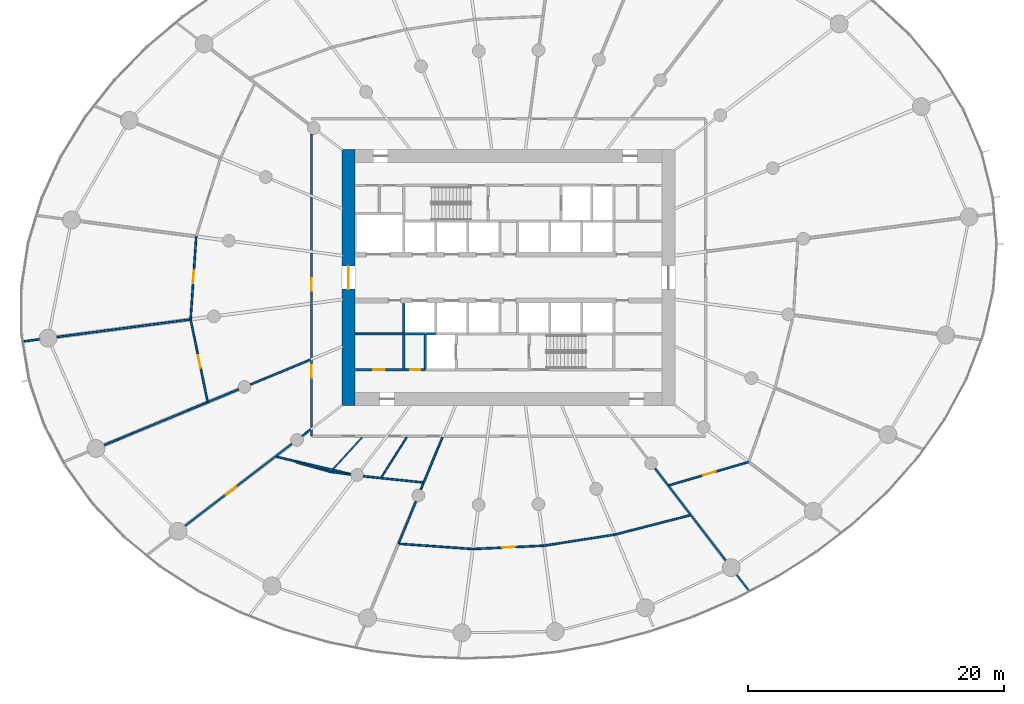
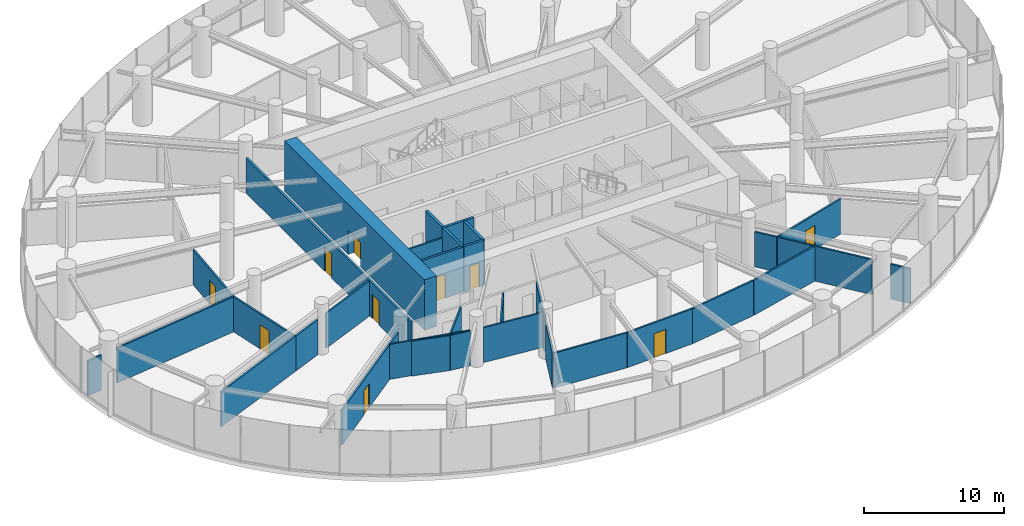
# One storey, part 12 of 19: 38 walls, 10 doors, 10 openings.
"""IFC4 building model written with IfcOpenShell, lengths in metres."""

from ifc_helpers import new_model, si_unit, direction, frame, frame_2d, origin, place, context, subcontext, project, spatial, rectangle, extrude, source, transform, mapped, material, layer, layer_set, type_object, element, fill, save


model = new_model("IFC4")

# Units and contexts
model_context = context("Model", 3, precision=1e-05, world=origin(), true_north=direction((0.0, 1.0)))
body_context = subcontext(model_context, "Body", "Model", "MODEL_VIEW")
ifc_project = project(units=[si_unit("LENGTHUNIT", "METRE"), si_unit("AREAUNIT", "SQUARE_METRE"), si_unit("VOLUMEUNIT", "CUBIC_METRE"), si_unit("PLANEANGLEUNIT", "RADIAN"), si_unit("MASSUNIT", "GRAM", prefix="KILO")], contexts=[model_context])

# Site, building, storey
site_placement = place(None, origin())
site = spatial("IfcSite", under=ifc_project, at=site_placement, CompositionType="ELEMENT")
building_placement = place(site_placement, origin())
building = spatial("IfcBuilding", under=site, at=building_placement, Name="Spindrift Exchange Tower", CompositionType="ELEMENT")
storey_placement = place(building_placement, frame((0.0, 0.0, 53.39990234375)))
storey = spatial("IfcBuildingStorey", under=building, at=storey_placement, Name="L12", CompositionType="ELEMENT", Elevation=53.39990234375)

# Wall, opening, door
ifc_material_1 = material(Name="Concrete 80 MPa", Category="concrete")
ifc_layer_1 = layer(ifc_material_1, 1.0)
ifc_layer_set_1 = layer_set([ifc_layer_1], Name="RC Core Wall 1000 Concrete 80 MPa")
wall_type_1 = type_object("IfcWallType", Name="RC Core Wall 1000 Concrete 80 MPa", PredefinedType="SHEAR", material=ifc_layer_set_1)
wall_1_placement = place(storey_placement, frame((39.5, 58.0, 0.0), z_axis=(0.0, 0.0, 1.0), x_axis=(0.0, -1.0, 0.0)))
wall_1 = element("IfcWall", 1, at=wall_1_placement, inside=storey, type_object=wall_type_1, Name="Core wall W L12", PredefinedType="SHEAR", context=body_context, shape_type="SweptSolid", body=[
    extrude(rectangle(XDim=20.0, YDim=1.0, at=frame_2d((10.0, 0.0))), origin(), (0.0, 0.0, 1.0), 4.400146484375),
])
opening_1_placement = place(wall_1_placement, frame((9.10009765625, 0.0, 0.0)))
opening_1 = element("IfcOpeningElement", 2, at=opening_1_placement, cuts=wall_1, Name="Opening L12-D1", PredefinedType="OPENING", context=body_context, shape_type="SweptSolid", body=[
    extrude(rectangle(XDim=1.800048828125, YDim=2.10009765625, at=frame_2d((0.89990234375, 1.050048828125))), frame((0.0, 0.510009765625, 0.0), z_axis=(0.0, -1.0, 0.0), x_axis=(1.0, 0.0, 0.0)), (0.0, 0.0, 1.0), 1.02001953125),
])
ifc_material_2 = material(Name="Timber-core fire door", Category="wood")
door_type_1 = type_object("IfcDoorType", Name="DR-LOBBY-1800", OperationType="NOTDEFINED", PredefinedType="DOOR", material=ifc_material_2)
shared_shape_1 = source(origin(), body_context, "Body", "SweptSolid", [
    extrude(rectangle(XDim=1.800048828125, YDim=2.10009765625, at=frame_2d((0.89990234375, 1.050048828125))), frame((0.0, 0.02490234375, 0.0), z_axis=(0.0, -1.0, 0.0), x_axis=(1.0, 0.0, 0.0)), (0.0, 0.0, 1.0), 0.050048828125),
])
door_1_placement = place(opening_1_placement, origin())
door_1 = element("IfcDoor", 3, at=door_1_placement, inside=storey, type_object=door_type_1, Name="L12 Lobby door 1", OperationType="SINGLE_SWING_RIGHT", OverallHeight=2.10009765625, OverallWidth=1.800048828125, PredefinedType="DOOR", context=body_context, shape_type="MappedRepresentation", body=[
    mapped(shared_shape_1, transform((0.0, 0.0, 0.0), scale=1.0)),
])
fill(opening_1, door_1)

# Wall, openings, doors
ifc_material_3 = material(Name="Fire-rated plasterboard partition", Category="gypsum")
ifc_layer_2 = layer(ifc_material_3, 0.179931640625)
ifc_layer_set_2 = layer_set([ifc_layer_2], Name="W-CORR-180")
wall_type_2 = type_object("IfcWallType", Name="W-CORR-180", PredefinedType="PARTITIONING", material=ifc_layer_set_2)
wall_2_placement = place(storey_placement, frame((36.60009765625, 35.6298828125, 0.0), z_axis=(0.0, 0.0, 1.0), x_axis=(0.0, 1.0, 0.0)))
wall_2 = element("IfcWall", 4, at=wall_2_placement, inside=storey, type_object=wall_type_2, Name="L12 Partition wall 60", PredefinedType="PARTITIONING", context=body_context, shape_type="SweptSolid", body=[
    extrude(rectangle(XDim=23.58251953125, YDim=0.179931640625, at=frame_2d((11.791259765625, 0.0))), origin(), (0.0, 0.0, 1.0), 3.050048828125),
])
opening_2_placement = place(wall_2_placement, frame((11.33251953125, 0.0, 0.0)))
opening_2 = element("IfcOpeningElement", 5, at=opening_2_placement, cuts=wall_2, Name="Opening L12-D40", PredefinedType="OPENING", context=body_context, shape_type="SweptSolid", body=[
    extrude(rectangle(XDim=1.0, YDim=2.10009765625, at=frame_2d((0.5, 1.050048828125))), frame((0.0, 0.099853515625, 0.0), z_axis=(0.0, -1.0, 0.0), x_axis=(1.0, 0.0, 0.0)), (0.0, 0.0, 1.0), 0.199951171875),
])
opening_3_placement = place(wall_2_placement, frame((4.532470703125, 0.0, 0.0)))
opening_3 = element("IfcOpeningElement", 6, at=opening_3_placement, cuts=wall_2, Name="Opening L12-D45", PredefinedType="OPENING", context=body_context, shape_type="SweptSolid", body=[
    extrude(rectangle(XDim=1.0, YDim=2.10009765625, at=frame_2d((0.5, 1.050048828125))), frame((0.0, 0.099853515625, 0.0), z_axis=(0.0, -1.0, 0.0), x_axis=(1.0, 0.0, 0.0)), (0.0, 0.0, 1.0), 0.199951171875),
])
door_type_2 = type_object("IfcDoorType", Name="DR-ROOM-1000", OperationType="NOTDEFINED", PredefinedType="DOOR", material=ifc_material_2)
shared_shape_2 = source(origin(), body_context, "Body", "SweptSolid", [
    extrude(rectangle(XDim=1.0, YDim=2.10009765625, at=frame_2d((0.5, 1.050048828125))), frame((0.0, 0.02490234375, 0.0), z_axis=(0.0, -1.0, 0.0), x_axis=(1.0, 0.0, 0.0)), (0.0, 0.0, 1.0), 0.050048828125),
])
door_2_placement = place(opening_2_placement, origin())
door_2 = element("IfcDoor", 7, at=door_2_placement, inside=storey, type_object=door_type_2, Name="L12 Door 40", OperationType="SINGLE_SWING_LEFT", OverallHeight=2.10009765625, OverallWidth=1.0, PredefinedType="DOOR", context=body_context, shape_type="MappedRepresentation", body=[
    mapped(shared_shape_2, transform((0.0, 0.0, 0.0), scale=1.0)),
])
fill(opening_2, door_2)
door_3_placement = place(opening_3_placement, origin())
door_3 = element("IfcDoor", 8, at=door_3_placement, inside=storey, type_object=door_type_2, Name="L12 Door 45", OperationType="SINGLE_SWING_RIGHT", OverallHeight=2.10009765625, OverallWidth=1.0, PredefinedType="DOOR", context=body_context, shape_type="MappedRepresentation", body=[
    mapped(shared_shape_2, transform((0.0, 0.0, 0.0), scale=1.0)),
])
fill(opening_3, door_3)

# Wall, opening, door
wall_3_placement = place(storey_placement, frame((40.02001953125, 40.800048828125, 0.0), z_axis=(0.0, 0.0, 1.0), x_axis=(1.0, 0.0, 0.0)))
wall_3 = element("IfcWall", 9, at=wall_3_placement, inside=storey, type_object=wall_type_2, Name="L12 Partition wall 61", PredefinedType="PARTITIONING", context=body_context, shape_type="SweptSolid", body=[
    extrude(rectangle(XDim=3.75, YDim=0.179931640625, at=frame_2d((1.875, 0.0))), origin(), (0.0, 0.0, 1.0), 3.9501953125),
])
opening_4_placement = place(wall_3_placement, frame((1.39990234375, 0.0, 0.0)))
opening_4 = element("IfcOpeningElement", 10, at=opening_4_placement, cuts=wall_3, Name="Opening L12-D48", PredefinedType="OPENING", context=body_context, shape_type="SweptSolid", body=[
    extrude(rectangle(XDim=0.89990234375, YDim=2.10009765625, at=frame_2d((0.449951171875, 1.050048828125))), frame((0.0, 0.099853515625, 0.0), z_axis=(0.0, -1.0, 0.0), x_axis=(1.0, 0.0, 0.0)), (0.0, 0.0, 1.0), 0.199951171875),
])
ifc_material_4 = material(Name="Steel access door", Category="steel")
door_type_3 = type_object("IfcDoorType", Name="DR-RISER-900", OperationType="NOTDEFINED", PredefinedType="DOOR", material=ifc_material_4)
shared_shape_3 = source(origin(), body_context, "Body", "SweptSolid", [
    extrude(rectangle(XDim=0.89990234375, YDim=2.10009765625, at=frame_2d((0.449951171875, 1.050048828125))), frame((0.0, 0.02490234375, 0.0), z_axis=(0.0, -1.0, 0.0), x_axis=(1.0, 0.0, 0.0)), (0.0, 0.0, 1.0), 0.050048828125),
])
door_4_placement = place(opening_4_placement, origin())
door_4 = element("IfcDoor", 11, at=door_4_placement, inside=storey, type_object=door_type_3, Name="L12 Riser door 48", OperationType="SINGLE_SWING_LEFT", OverallHeight=2.10009765625, OverallWidth=0.89990234375, PredefinedType="DOOR", context=body_context, shape_type="MappedRepresentation", body=[
    mapped(shared_shape_3, transform((0.0, 0.0, 0.0), scale=1.0)),
])
fill(opening_4, door_4)

# Wall
ifc_layer_3 = layer(ifc_material_3, 0.139892578125)
ifc_layer_set_3 = layer_set([ifc_layer_3], Name="W-PART-140")
wall_type_3 = type_object("IfcWallType", Name="W-PART-140", PredefinedType="PARTITIONING", material=ifc_layer_set_3)
wall_4_placement = place(storey_placement, frame((27.150634765625, 44.728515625, 0.0), z_axis=(0.0, 0.0, 1.0), x_axis=(-0.991445773007, -0.130519267494, 0.0)))
element("IfcWall", 12, at=wall_4_placement, inside=storey, type_object=wall_type_3, Name="L12 Partition wall 67", PredefinedType="PARTITIONING", context=body_context, shape_type="SweptSolid", body=[
    extrude(rectangle(XDim=10.532958984375, YDim=0.139892578125, at=frame_2d((5.2666015625, 0.0))), origin(), (0.0, 0.0, 1.0), 3.050048828125),
])

# Wall, opening, door
wall_5_placement = place(storey_placement, frame((33.775634765625, 34.015869140625, 0.0), z_axis=(0.0, 0.0, 1.0), x_axis=(-0.793363616038, -0.608748037161, 0.0)))
wall_5 = element("IfcWall", 13, at=wall_5_placement, inside=storey, type_object=wall_type_3, Name="L12 Partition wall 71", PredefinedType="PARTITIONING", context=body_context, shape_type="SweptSolid", body=[
    extrude(rectangle(XDim=8.889404296875, YDim=0.139892578125, at=frame_2d((4.44482421875, 0.0))), origin(), (0.0, 0.0, 1.0), 3.050048828125),
])
opening_5_placement = place(wall_5_placement, frame((3.85009765625, 0.0, 0.0)))
opening_5 = element("IfcOpeningElement", 14, at=opening_5_placement, cuts=wall_5, Name="Opening L12-D29", PredefinedType="OPENING", context=body_context, shape_type="SweptSolid", body=[
    extrude(rectangle(XDim=1.0, YDim=2.10009765625, at=frame_2d((0.5, 1.050048828125))), frame((0.0, 0.079833984375, 0.0), z_axis=(0.0, -1.0, 0.0), x_axis=(1.0, 0.0, 0.0)), (0.0, 0.0, 1.0), 0.159912109375),
])
door_5_placement = place(opening_5_placement, origin())
door_5 = element("IfcDoor", 15, at=door_5_placement, inside=storey, type_object=door_type_2, Name="L12 Door 29", OperationType="SINGLE_SWING_RIGHT", OverallHeight=2.10009765625, OverallWidth=1.0, PredefinedType="DOOR", context=body_context, shape_type="MappedRepresentation", body=[
    mapped(shared_shape_2, transform((0.0, 0.0, 0.0), scale=1.0)),
])
fill(opening_5, door_5)

# Wall
wall_6_placement = place(storey_placement, frame((28.489013671875, 38.261474609375, 0.0), z_axis=(0.0, 0.0, 1.0), x_axis=(-0.923879491354, -0.382683531727, 0.0)))
element("IfcWall", 16, at=wall_6_placement, inside=storey, type_object=wall_type_3, Name="L12 Partition wall 73", PredefinedType="PARTITIONING", context=body_context, shape_type="SweptSolid", body=[
    extrude(rectangle(XDim=8.7529296875, YDim=0.139892578125, at=frame_2d((4.37646484375, 0.0))), origin(), (0.0, 0.0, 1.0), 3.050048828125),
])

# Wall, opening, door
wall_7_placement = place(storey_placement, frame((28.48291015625, 38.290771484375, 0.0), z_axis=(0.0, 0.0, 1.0), x_axis=(-0.202647546794, 0.979251740758, 0.0)))
wall_7 = element("IfcWall", 17, at=wall_7_placement, inside=storey, type_object=wall_type_3, Name="L12 Partition wall 78", PredefinedType="PARTITIONING", context=body_context, shape_type="SweptSolid", body=[
    extrude(rectangle(XDim=6.544189453125, YDim=0.139892578125, at=frame_2d((3.27197265625, 0.0))), origin(), (0.0, 0.0, 1.0), 3.050048828125),
])
opening_6_placement = place(wall_7_placement, frame((2.694091796875, 0.0, 0.0)))
opening_6 = element("IfcOpeningElement", 18, at=opening_6_placement, cuts=wall_7, Name="Opening L12-D44", PredefinedType="OPENING", context=body_context, shape_type="SweptSolid", body=[
    extrude(rectangle(XDim=1.0, YDim=2.10009765625, at=frame_2d((0.5, 1.050048828125))), frame((0.0, 0.079833984375, 0.0), z_axis=(0.0, -1.0, 0.0), x_axis=(1.0, 0.0, 0.0)), (0.0, 0.0, 1.0), 0.159912109375),
])
door_6_placement = place(opening_6_placement, origin())
door_6 = element("IfcDoor", 19, at=door_6_placement, inside=storey, type_object=door_type_2, Name="L12 Door 44", OperationType="SINGLE_SWING_LEFT", OverallHeight=2.10009765625, OverallWidth=1.0, PredefinedType="DOOR", context=body_context, shape_type="MappedRepresentation", body=[
    mapped(shared_shape_2, transform((0.0, 0.0, 0.0), scale=1.0)),
])
fill(opening_6, door_6)

wall_8_placement = place(storey_placement, frame((70.768798828125, 33.59814453125, 0.0), z_axis=(0.0, 0.0, 1.0), x_axis=(-0.959164410747, -0.282849134974, 0.0)))
wall_8 = element("IfcWall", 20, at=wall_8_placement, inside=storey, type_object=wall_type_3, Name="L12 Partition wall 79", PredefinedType="PARTITIONING", context=body_context, shape_type="SweptSolid", body=[
    extrude(rectangle(XDim=6.561767578125, YDim=0.139892578125, at=frame_2d((3.28076171875, 0.0))), origin(), (0.0, 0.0, 1.0), 3.050048828125),
])
opening_7_placement = place(wall_8_placement, frame((2.7119140625, 0.0, 0.0)))
opening_7 = element("IfcOpeningElement", 21, at=opening_7_placement, cuts=wall_8, Name="Opening L12-D31", PredefinedType="OPENING", context=body_context, shape_type="SweptSolid", body=[
    extrude(rectangle(XDim=1.0, YDim=2.10009765625, at=frame_2d((0.5, 1.050048828125))), frame((0.0, 0.079833984375, 0.0), z_axis=(0.0, -1.0, 0.0), x_axis=(1.0, 0.0, 0.0)), (0.0, 0.0, 1.0), 0.159912109375),
])
door_7_placement = place(opening_7_placement, origin())
door_7 = element("IfcDoor", 22, at=door_7_placement, inside=storey, type_object=door_type_2, Name="L12 Door 31", OperationType="SINGLE_SWING_RIGHT", OverallHeight=2.10009765625, OverallWidth=1.0, PredefinedType="DOOR", context=body_context, shape_type="MappedRepresentation", body=[
    mapped(shared_shape_2, transform((0.0, 0.0, 0.0), scale=1.0)),
])
fill(opening_7, door_7)

wall_9_placement = place(storey_placement, frame((27.15283203125, 44.758544921875, 0.0), z_axis=(0.0, 0.0, 1.0), x_axis=(0.067555628739, 0.997715509063, 0.0)))
wall_9 = element("IfcWall", 23, at=wall_9_placement, inside=storey, type_object=wall_type_3, Name="L12 Partition wall 80", PredefinedType="PARTITIONING", context=body_context, shape_type="SweptSolid", body=[
    extrude(rectangle(XDim=6.43994140625, YDim=0.139892578125, at=frame_2d((3.219970703125, 0.0))), origin(), (0.0, 0.0, 1.0), 3.050048828125),
])
opening_8_placement = place(wall_9_placement, frame((2.7900390625, 0.0, 0.0)))
opening_8 = element("IfcOpeningElement", 24, at=opening_8_placement, cuts=wall_9, Name="Opening L12-D43", PredefinedType="OPENING", context=body_context, shape_type="SweptSolid", body=[
    extrude(rectangle(XDim=1.0, YDim=2.10009765625, at=frame_2d((0.5, 1.050048828125))), frame((0.0, 0.079833984375, 0.0), z_axis=(0.0, -1.0, 0.0), x_axis=(1.0, 0.0, 0.0)), (0.0, 0.0, 1.0), 0.159912109375),
])
door_8_placement = place(opening_8_placement, origin())
door_8 = element("IfcDoor", 25, at=door_8_placement, inside=storey, type_object=door_type_2, Name="L12 Door 43", OperationType="SINGLE_SWING_RIGHT", OverallHeight=2.10009765625, OverallWidth=1.0, PredefinedType="DOOR", context=body_context, shape_type="MappedRepresentation", body=[
    mapped(shared_shape_2, transform((0.0, 0.0, 0.0), scale=1.0)),
])
fill(opening_8, door_8)

# Walls
wall_10_placement = place(storey_placement, frame((60.319091796875, 27.91552734375, 0.0), z_axis=(0.0, 0.0, 1.0), x_axis=(0.968340865999, 0.24963166313, 0.0)))
element("IfcWall", 26, at=wall_10_placement, inside=storey, type_object=wall_type_3, Name="L12 Partition wall 84", PredefinedType="PARTITIONING", context=body_context, shape_type="SweptSolid", body=[
    extrude(rectangle(XDim=6.114501953125, YDim=0.139892578125, at=frame_2d((3.05712890625, 0.0))), origin(), (0.0, 0.0, 1.0), 3.050048828125),
])
wall_11_placement = place(storey_placement, frame((33.8046875, 34.009033203125, 0.0), z_axis=(0.0, 0.0, 1.0), x_axis=(0.973632222489, -0.22812342127, 0.0)))
element("IfcWall", 27, at=wall_11_placement, inside=storey, type_object=wall_type_3, Name="L12 Partition wall 85", PredefinedType="PARTITIONING", context=body_context, shape_type="SweptSolid", body=[
    extrude(rectangle(XDim=6.017822265625, YDim=0.139892578125, at=frame_2d((3.0087890625, 0.0))), origin(), (0.0, 0.0, 1.0), 3.050048828125),
])
wall_12_placement = place(storey_placement, frame((43.3837890625, 27.198974609375, 0.0), z_axis=(0.0, 0.0, 1.0), x_axis=(0.997508340925, -0.070548634182, 0.0)))
element("IfcWall", 28, at=wall_12_placement, inside=storey, type_object=wall_type_3, Name="L12 Partition wall 87", PredefinedType="PARTITIONING", context=body_context, shape_type="SweptSolid", body=[
    extrude(rectangle(XDim=5.838134765625, YDim=0.139892578125, at=frame_2d((2.9189453125, 0.0))), origin(), (0.0, 0.0, 1.0), 3.050048828125),
])
wall_13_placement = place(storey_placement, frame((54.758544921875, 27.047119140625, 0.0), z_axis=(0.0, 0.0, 1.0), x_axis=(0.98802429514, 0.154298386943, 0.0)))
element("IfcWall", 29, at=wall_13_placement, inside=storey, type_object=wall_type_3, Name="L12 Partition wall 89", PredefinedType="PARTITIONING", context=body_context, shape_type="SweptSolid", body=[
    extrude(rectangle(XDim=5.59814453125, YDim=0.139892578125, at=frame_2d((2.799072265625, 0.0))), origin(), (0.0, 0.0, 1.0), 3.050048828125),
])

# Wall, opening, door
wall_14_placement = place(storey_placement, frame((54.728515625, 27.045654296875, 0.0), z_axis=(0.0, 0.0, 1.0), x_axis=(-0.998905899041, -0.046765423781, 0.0)))
wall_14 = element("IfcWall", 30, at=wall_14_placement, inside=storey, type_object=wall_type_3, Name="L12 Partition wall 91", PredefinedType="PARTITIONING", context=body_context, shape_type="SweptSolid", body=[
    extrude(rectangle(XDim=5.497314453125, YDim=0.139892578125, at=frame_2d((2.74853515625, 0.0))), origin(), (0.0, 0.0, 1.0), 3.050048828125),
])
opening_9_placement = place(wall_14_placement, frame((2.247314453125, 0.0, 0.0)))
opening_9 = element("IfcOpeningElement", 31, at=opening_9_placement, cuts=wall_14, Name="Opening L12-D28", PredefinedType="OPENING", context=body_context, shape_type="SweptSolid", body=[
    extrude(rectangle(XDim=1.0, YDim=2.10009765625, at=frame_2d((0.5, 1.050048828125))), frame((0.0, 0.079833984375, 0.0), z_axis=(0.0, -1.0, 0.0), x_axis=(1.0, 0.0, 0.0)), (0.0, 0.0, 1.0), 0.159912109375),
])
door_9_placement = place(opening_9_placement, origin())
door_9 = element("IfcDoor", 32, at=door_9_placement, inside=storey, type_object=door_type_2, Name="L12 Door 28", OperationType="SINGLE_SWING_LEFT", OverallHeight=2.10009765625, OverallWidth=1.0, PredefinedType="DOOR", context=body_context, shape_type="MappedRepresentation", body=[
    mapped(shared_shape_2, transform((0.0, 0.0, 0.0), scale=1.0)),
])
fill(opening_9, door_9)

# Walls
wall_15_placement = place(storey_placement, frame((36.510009765625, 41.583740234375, 0.0), z_axis=(0.0, 0.0, 1.0), x_axis=(-0.923890025086, -0.382658100067, 0.0)))
element("IfcWall", 33, at=wall_15_placement, inside=storey, type_object=wall_type_3, Name="L12 Partition wall 97", PredefinedType="PARTITIONING", context=body_context, shape_type="SweptSolid", body=[
    extrude(rectangle(XDim=5.068359375, YDim=0.139892578125, at=frame_2d((2.5341796875, 0.0))), origin(), (0.0, 0.0, 1.0), 3.050048828125),
])
wall_16_placement = place(storey_placement, frame((40.65869140625, 32.47216796875, 0.0), z_axis=(0.0, 0.0, 1.0), x_axis=(0.994613201527, -0.103656062762, 0.0)))
element("IfcWall", 34, at=wall_16_placement, inside=storey, type_object=wall_type_3, Name="L12 Partition wall 99", PredefinedType="PARTITIONING", context=body_context, shape_type="SweptSolid", body=[
    extrude(rectangle(XDim=4.731689453125, YDim=0.139892578125, at=frame_2d((2.36572265625, 0.0))), origin(), (0.0, 0.0, 1.0), 3.050048828125),
])
wall_17_placement = place(storey_placement, frame((66.25830078125, 29.418212890625, 0.0), z_axis=(0.0, 0.0, 1.0), x_axis=(0.608774632027, -0.793343209085, 0.0)))
element("IfcWall", 35, at=wall_17_placement, inside=storey, type_object=wall_type_3, Name="L12 Partition wall 101", PredefinedType="PARTITIONING", context=body_context, shape_type="SweptSolid", body=[
    extrude(rectangle(XDim=4.451171875, YDim=0.139892578125, at=frame_2d((2.2255859375, 0.0))), origin(), (0.0, 0.0, 1.0), 3.050048828125),
])
wall_18_placement = place(storey_placement, frame((46.826416015625, 35.510009765625, 0.0), z_axis=(0.0, 0.0, 1.0), x_axis=(-0.382683759209, -0.923879397128, 0.0)))
element("IfcWall", 36, at=wall_18_placement, inside=storey, type_object=wall_type_3, Name="L12 Partition wall 102", PredefinedType="PARTITIONING", context=body_context, shape_type="SweptSolid", body=[
    extrude(rectangle(XDim=3.788818359375, YDim=0.139892578125, at=frame_2d((1.89453125, 0.0))), origin(), (0.0, 0.0, 1.0), 3.050048828125),
])
wall_19_placement = place(storey_placement, frame((43.77001953125, 43.60009765625, 0.0), z_axis=(0.0, 0.0, 1.0), x_axis=(-1.0, 0.0, 0.0)))
element("IfcWall", 37, at=wall_19_placement, inside=storey, type_object=wall_type_3, Name="L12 Partition wall 103", PredefinedType="PARTITIONING", context=body_context, shape_type="SweptSolid", body=[
    extrude(rectangle(XDim=3.75, YDim=0.139892578125, at=frame_2d((1.875, 0.0))), origin(), (0.0, 0.0, 1.0), 3.050048828125),
])
wall_20_placement = place(storey_placement, frame((44.752197265625, 30.502197265625, 0.0), z_axis=(0.0, 0.0, 1.0), x_axis=(-0.382698672088, -0.923873219864, 0.0)))
element("IfcWall", 38, at=wall_20_placement, inside=storey, type_object=wall_type_3, Name="L12 Partition wall 106", PredefinedType="PARTITIONING", context=body_context, shape_type="SweptSolid", body=[
    extrude(rectangle(XDim=3.501708984375, YDim=0.139892578125, at=frame_2d((1.7509765625, 0.0))), origin(), (0.0, 0.0, 1.0), 3.050048828125),
])
wall_21_placement = place(storey_placement, frame((64.520751953125, 31.6826171875, 0.0), z_axis=(0.0, 0.0, 1.0), x_axis=(0.608761578312, -0.793353225727, 0.0)))
element("IfcWall", 39, at=wall_21_placement, inside=storey, type_object=wall_type_3, Name="L12 Partition wall 108", PredefinedType="PARTITIONING", context=body_context, shape_type="SweptSolid", body=[
    extrude(rectangle(XDim=2.748291015625, YDim=0.139892578125, at=frame_2d((1.3740234375, 0.0))), origin(), (0.0, 0.0, 1.0), 3.050048828125),
])
wall_22_placement = place(storey_placement, frame((30.89404296875, 39.2578125, 0.0), z_axis=(0.0, 0.0, 1.0), x_axis=(-0.923866506459, -0.382714878523, 0.0)))
element("IfcWall", 40, at=wall_22_placement, inside=storey, type_object=wall_type_3, Name="L12 Partition wall 110", PredefinedType="PARTITIONING", context=body_context, shape_type="SweptSolid", body=[
    extrude(rectangle(XDim=2.5732421875, YDim=0.139892578125, at=frame_2d((1.28662109375, 0.0))), origin(), (0.0, 0.0, 1.0), 3.050048828125),
])
wall_23_placement = place(storey_placement, frame((63.44091796875, 33.08984375, 0.0), z_axis=(0.0, 0.0, 1.0), x_axis=(0.608812360851, -0.793314256317, 0.0)))
element("IfcWall", 41, at=wall_23_placement, inside=storey, type_object=wall_type_3, Name="L12 Partition wall 127", PredefinedType="PARTITIONING", context=body_context, shape_type="SweptSolid", body=[
    extrude(rectangle(XDim=1.668701171875, YDim=0.139892578125, at=frame_2d((0.83447265625, 0.0))), origin(), (0.0, 0.0, 1.0), 3.050048828125),
])
wall_24_placement = place(storey_placement, frame((35.06494140625, 35.00537109375, 0.0), z_axis=(0.0, 0.0, 1.0), x_axis=(-0.793286864057, -0.608848052732, 0.0)))
element("IfcWall", 42, at=wall_24_placement, inside=storey, type_object=wall_type_3, Name="L12 Partition wall 128", PredefinedType="PARTITIONING", context=body_context, shape_type="SweptSolid", body=[
    extrude(rectangle(XDim=1.587158203125, YDim=0.139892578125, at=frame_2d((0.79345703125, 0.0))), origin(), (0.0, 0.0, 1.0), 3.050048828125),
])
wall_25_placement = place(storey_placement, frame((69.8251953125, 24.76953125, 0.0), z_axis=(0.0, 0.0, 1.0), x_axis=(0.608816471317, -0.793311101809, 0.0)))
element("IfcWall", 43, at=wall_25_placement, inside=storey, type_object=wall_type_3, Name="L12 Partition wall 129", PredefinedType="PARTITIONING", context=body_context, shape_type="SweptSolid", body=[
    extrude(rectangle(XDim=1.544189453125, YDim=0.139892578125, at=frame_2d((0.77197265625, 0.0))), origin(), (0.0, 0.0, 1.0), 3.050048828125),
])
wall_26_placement = place(storey_placement, frame((15.311279296875, 43.169921875, 0.0), z_axis=(0.0, 0.0, 1.0), x_axis=(-0.991424298155, -0.130682290411, 0.0)))
element("IfcWall", 44, at=wall_26_placement, inside=storey, type_object=wall_type_3, Name="L12 Partition wall 131", PredefinedType="PARTITIONING", context=body_context, shape_type="SweptSolid", body=[
    extrude(rectangle(XDim=1.219970703125, YDim=0.139892578125, at=frame_2d((0.60986328125, 0.0))), origin(), (0.0, 0.0, 1.0), 3.050048828125),
])
wall_27_placement = place(storey_placement, frame((36.510009765625, 36.114013671875, 0.0), z_axis=(0.0, 0.0, 1.0), x_axis=(-0.793316076519, -0.608809989025, 0.0)))
element("IfcWall", 45, at=wall_27_placement, inside=storey, type_object=wall_type_3, Name="L12 Partition wall 133", PredefinedType="PARTITIONING", context=body_context, shape_type="SweptSolid", body=[
    extrude(rectangle(XDim=0.8125, YDim=0.139892578125, at=frame_2d((0.40625, 0.0))), origin(), (0.0, 0.0, 1.0), 3.050048828125),
])
wall_28_placement = place(storey_placement, frame((45.337158203125, 31.914306640625, 0.0), z_axis=(0.0, 0.0, 1.0), x_axis=(-0.382809221062, -0.923827419094, 0.0)))
element("IfcWall", 46, at=wall_28_placement, inside=storey, type_object=wall_type_3, Name="L12 Partition wall 134", PredefinedType="PARTITIONING", context=body_context, shape_type="SweptSolid", body=[
    extrude(rectangle(XDim=0.5185546875, YDim=0.139892578125, at=frame_2d((0.25927734375, 0.0))), origin(), (0.0, 0.0, 1.0), 3.050048828125),
])
ifc_material_5 = material(Name="Concrete 40 MPa", Category="concrete")
ifc_layer_4 = layer(ifc_material_5, 0.199951171875)
ifc_layer_set_4 = layer_set([ifc_layer_4], Name="W-SHAFT-200")
wall_type_4 = type_object("IfcWallType", Name="W-SHAFT-200", PredefinedType="SOLIDWALL", material=ifc_layer_set_4)
for number, where, z_axis, x_axis, name in (
    (47, (43.800048828125, 43.60009765625, 0.0), (0.0, 0.0, 1.0), (0.0, -1.0, 0.0), "L12 Shaft wall 6"),
    (48, (45.5, 43.60009765625, 0.0), (0.0, 0.0, 1.0), (0.0, -1.0, 0.0), "L12 Shaft wall 7"),
):
    element("IfcWall", number, at=place(storey_placement, frame(where, z_axis=z_axis, x_axis=x_axis)), inside=storey, type_object=wall_type_4, Name=name, PredefinedType="SOLIDWALL", context=body_context, shape_type="SweptSolid", body=[
        extrude(rectangle(XDim=2.800048828125, YDim=0.199951171875, at=frame_2d((1.39990234375, 0.0))), origin(), (0.0, 0.0, 1.0), 3.9501953125),
    ])
wall_29_placement = place(storey_placement, frame((43.800048828125, 45.989990234375, 0.0), z_axis=(0.0, 0.0, 1.0), x_axis=(0.0, -1.0, 0.0)))
element("IfcWall", 49, at=wall_29_placement, inside=storey, type_object=wall_type_4, Name="L12 Shaft wall 23", PredefinedType="SOLIDWALL", context=body_context, shape_type="SweptSolid", body=[
    extrude(rectangle(XDim=2.360107421875, YDim=0.199951171875, at=frame_2d((1.18017578125, 0.0))), origin(), (0.0, 0.0, 1.0), 3.9501953125),
])
wall_30_placement = place(storey_placement, frame((43.830078125, 43.60009765625, 0.0), z_axis=(0.0, 0.0, 1.0), x_axis=(1.0, 0.0, 0.0)))
element("IfcWall", 50, at=wall_30_placement, inside=storey, type_object=wall_type_4, Name="L12 Shaft wall 40", PredefinedType="SOLIDWALL", context=body_context, shape_type="SweptSolid", body=[
    extrude(rectangle(XDim=1.639892578125, YDim=0.199951171875, at=frame_2d((0.81982421875, 0.0))), origin(), (0.0, 0.0, 1.0), 3.9501953125),
])

# Wall, opening, door
wall_31_placement = place(storey_placement, frame((43.830078125, 40.800048828125, 0.0), z_axis=(0.0, 0.0, 1.0), x_axis=(1.0, 0.0, 0.0)))
wall_31 = element("IfcWall", 51, at=wall_31_placement, inside=storey, type_object=wall_type_4, Name="L12 Shaft wall 41", PredefinedType="SOLIDWALL", context=body_context, shape_type="SweptSolid", body=[
    extrude(rectangle(XDim=1.639892578125, YDim=0.199951171875, at=frame_2d((0.81982421875, 0.0))), origin(), (0.0, 0.0, 1.0), 3.9501953125),
])
opening_10_placement = place(wall_31_placement, frame((0.469970703125, 0.0, 0.0)))
opening_10 = element("IfcOpeningElement", 52, at=opening_10_placement, cuts=wall_31, Name="Opening L12-D19", PredefinedType="OPENING", context=body_context, shape_type="SweptSolid", body=[
    extrude(rectangle(XDim=0.800048828125, YDim=2.10009765625, at=frame_2d((0.39990234375, 1.050048828125))), frame((0.0, 0.10986328125, 0.0), z_axis=(0.0, -1.0, 0.0), x_axis=(1.0, 0.0, 0.0)), (0.0, 0.0, 1.0), 0.219970703125),
])
door_type_4 = type_object("IfcDoorType", Name="DR-RISER-800", OperationType="NOTDEFINED", PredefinedType="DOOR", material=ifc_material_4)
shared_shape_4 = source(origin(), body_context, "Body", "SweptSolid", [
    extrude(rectangle(XDim=0.800048828125, YDim=2.10009765625, at=frame_2d((0.39990234375, 1.050048828125))), frame((0.0, 0.02490234375, 0.0), z_axis=(0.0, -1.0, 0.0), x_axis=(1.0, 0.0, 0.0)), (0.0, 0.0, 1.0), 0.050048828125),
])
door_10_placement = place(opening_10_placement, origin())
door_10 = element("IfcDoor", 53, at=door_10_placement, inside=storey, type_object=door_type_4, Name="L12 Riser door 19", OperationType="SINGLE_SWING_RIGHT", OverallHeight=2.10009765625, OverallWidth=0.800048828125, PredefinedType="DOOR", context=body_context, shape_type="MappedRepresentation", body=[
    mapped(shared_shape_4, transform((0.0, 0.0, 0.0), scale=1.0)),
])
fill(opening_10, door_10)

# Walls
wall_32_placement = place(storey_placement, frame((45.530029296875, 43.60009765625, 0.0), z_axis=(0.0, 0.0, 1.0), x_axis=(1.0, 0.0, 0.0)))
element("IfcWall", 54, at=wall_32_placement, inside=storey, type_object=wall_type_4, Name="L12 Shaft wall 54", PredefinedType="SOLIDWALL", context=body_context, shape_type="SweptSolid", body=[
    extrude(rectangle(XDim=0.739990234375, YDim=0.199951171875, at=frame_2d((0.3701171875, 0.0))), origin(), (0.0, 0.0, 1.0), 3.9501953125),
])
ifc_layer_5 = layer(ifc_material_3, 0.1201171875)
ifc_layer_set_5 = layer_set([ifc_layer_5], Name="W-WET-120")
wall_type_5 = type_object("IfcWallType", Name="W-WET-120", PredefinedType="PARTITIONING", material=ifc_layer_set_5)
wall_33_placement = place(storey_placement, frame((35.364013671875, 33.572021484375, 0.0), z_axis=(0.0, 0.0, 1.0), x_axis=(0.963049305084, -0.269325149172, 0.0)))
element("IfcWall", 55, at=wall_33_placement, inside=storey, type_object=wall_type_5, Name="L12 Partition wall 136", PredefinedType="PARTITIONING", context=body_context, shape_type="SweptSolid", body=[
    extrude(rectangle(XDim=2.82275390625, YDim=0.1201171875, at=frame_2d((1.411376953125, 0.0))), origin(), (0.0, 0.0, 1.0), 3.050048828125),
])
wall_34_placement = place(storey_placement, frame((44.04296875, 35.510009765625, 0.0), z_axis=(0.0, 0.0, 1.0), x_axis=(-0.537273404115, -0.843408139177, 0.0)))
element("IfcWall", 56, at=wall_34_placement, inside=storey, type_object=wall_type_5, Name="L12 Partition wall 137", PredefinedType="PARTITIONING", context=body_context, shape_type="SweptSolid", body=[
    extrude(rectangle(XDim=3.691650390625, YDim=0.1201171875, at=frame_2d((1.845703125, 0.0))), origin(), (0.0, 0.0, 1.0), 3.050048828125),
])
wall_35_placement = place(storey_placement, frame((40.554931640625, 35.510009765625, 0.0), z_axis=(0.0, 0.0, 1.0), x_axis=(-0.675566754316, -0.737298827114, 0.0)))
element("IfcWall", 57, at=wall_35_placement, inside=storey, type_object=wall_type_5, Name="L12 Partition wall 138", PredefinedType="PARTITIONING", context=body_context, shape_type="SweptSolid", body=[
    extrude(rectangle(XDim=3.361572265625, YDim=0.1201171875, at=frame_2d((1.6806640625, 0.0))), origin(), (0.0, 0.0, 1.0), 3.050048828125),
])
wall_36_placement = place(storey_placement, frame((38.1123046875, 32.8076171875, 0.0), z_axis=(0.0, 0.0, 1.0), x_axis=(0.990488726007, -0.137593908485, 0.0)))
element("IfcWall", 58, at=wall_36_placement, inside=storey, type_object=wall_type_5, Name="L12 Partition wall 139", PredefinedType="PARTITIONING", context=body_context, shape_type="SweptSolid", body=[
    extrude(rectangle(XDim=1.563232421875, YDim=0.1201171875, at=frame_2d((0.78173828125, 0.0))), origin(), (0.0, 0.0, 1.0), 3.050048828125),
])

save(model, "model.ifc")
